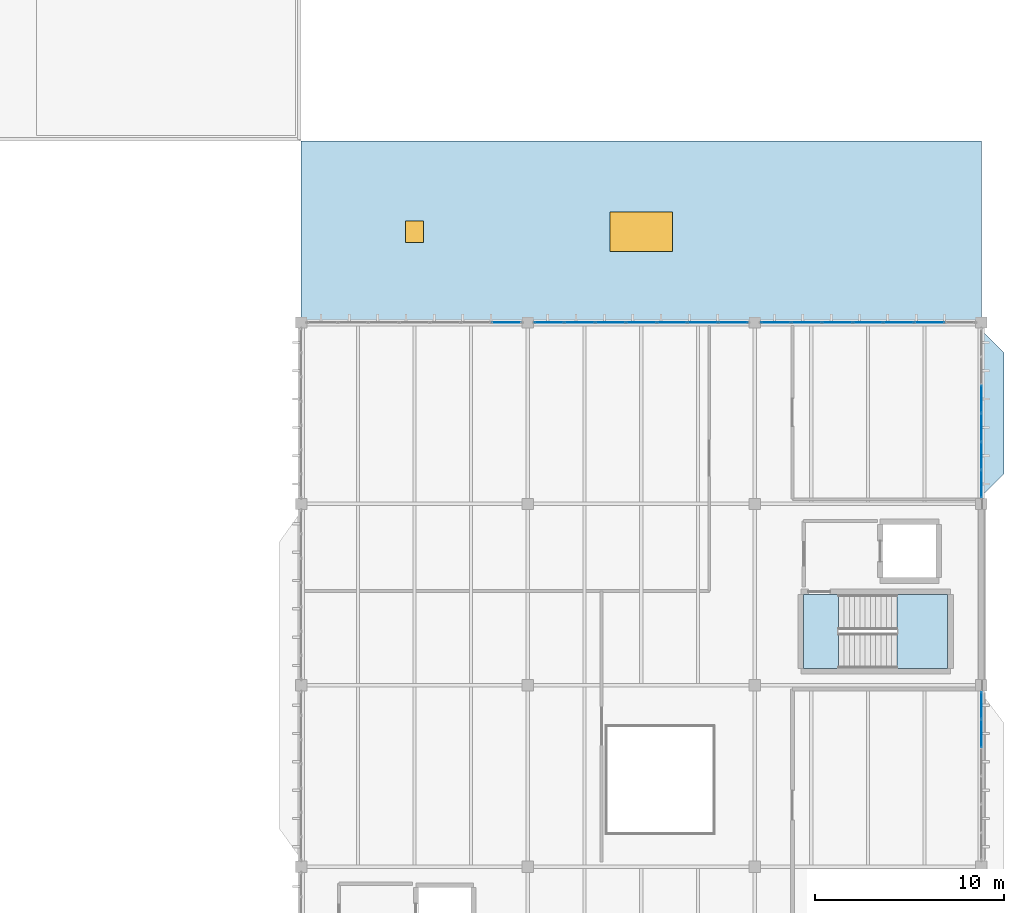
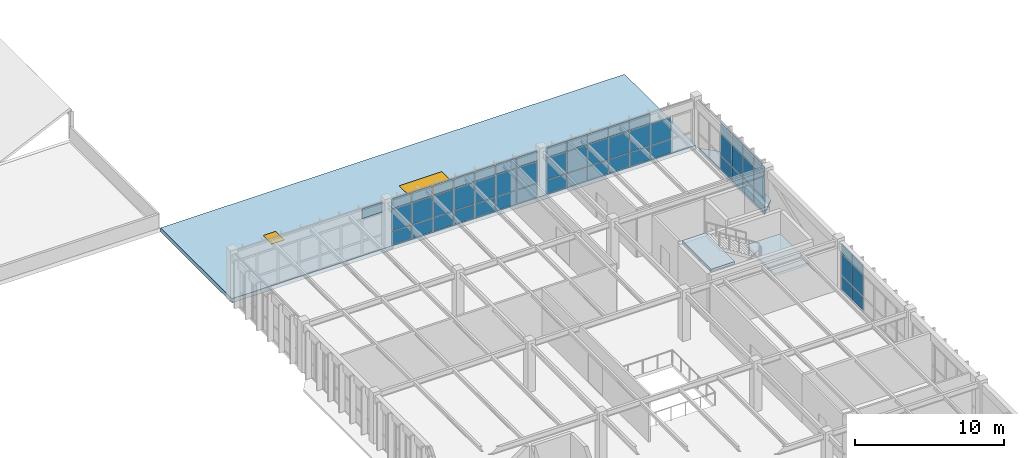
# One storey, part 67 of 83: 57 plates, 4 slabs, 1 door, 1 window, 2 openings, 6 elements without a shape of their own.
"""IFC4 building model written with IfcOpenShell, lengths in metres."""

from ifc_helpers import new_model, si_unit, direction, frame, origin, origin_2d, place, context, subcontext, project, spatial, polyline, rectangle, outline, extrude, material, layer, layer_set, type_object, element, fill, aggregate, save


model = new_model("IFC4")

# Units and contexts
model_context = context("Model", 3, precision=1e-05, world=origin(), true_north=direction((0.0, 1.0)))
body_context = subcontext(model_context, "Body", "Model", "MODEL_VIEW")
ifc_project = project(units=[si_unit("LENGTHUNIT", "METRE"), si_unit("AREAUNIT", "SQUARE_METRE"), si_unit("VOLUMEUNIT", "CUBIC_METRE"), si_unit("PLANEANGLEUNIT", "RADIAN"), si_unit("MASSUNIT", "GRAM", prefix="KILO")], contexts=[model_context])

# Site, building, storey
site_placement = place(None, origin())
site = spatial("IfcSite", under=ifc_project, at=site_placement, CompositionType="ELEMENT")
building_placement = place(site_placement, origin())
building = spatial("IfcBuilding", under=site, at=building_placement, Name="Pandanus Reach Market Hall", CompositionType="ELEMENT")
storey_placement = place(building_placement, frame((0.0, 0.0, 10.199951171875)))
storey = spatial("IfcBuildingStorey", under=building, at=storey_placement, Name="L02", CompositionType="ELEMENT", Elevation=10.199951171875)

# Curtain wall, plate
ifc_material_1 = material(Name="Bronze anodised aluminium and low-E glass", Category="aluminium")
ifc_layer_1 = layer(ifc_material_1, 0.159912109375, Name="CW-31")
ifc_layer_set_1 = layer_set([ifc_layer_1], Name="Bronze anodised aluminium and low-E glass")
curtain_wall_type_1 = type_object("IfcCurtainWallType", Name="CW-31", PredefinedType="NOTDEFINED", material=ifc_layer_set_1)
curtain_wall_1_placement = place(storey_placement, origin())
curtain_wall_1 = element("IfcCurtainWall", 1, at=curtain_wall_1_placement, inside=storey, type_object=curtain_wall_type_1, Name="Glazed curtain wall CW-31 CW-0102", PredefinedType="NOTDEFINED")
ifc_material_2 = material(Name="Solar-control double glazing", Category="glass")
ifc_layer_2 = layer(ifc_material_2, 0.028076171875, Name="CW-P1")
ifc_layer_set_2 = layer_set([ifc_layer_2], Name="Solar-control double glazing")
plate_type = type_object("IfcPlateType", Name="CW-P1", PredefinedType="CURTAIN_PANEL", material=ifc_layer_set_2)
plate_1_placement = place(storey_placement, frame((154.869384765625, 86.39990234375, 3.03271484375), z_axis=(0.0, 0.0, 1.0), x_axis=(1.0, 0.0, 0.0)))
plate_1 = element("IfcPlate", 2, at=plate_1_placement, type_object=plate_type, Name="CW-31 panel 7.3", PredefinedType="CURTAIN_PANEL", context=body_context, shape_type="SweptSolid", body=[
    extrude(rectangle(XDim=1.531005859375, YDim=0.028076171875, at=origin_2d()), origin(), (0.0, 0.0, 1.0), 0.802490234375),
])
aggregate(curtain_wall_1, [plate_1])

# Curtain wall, plates
curtain_wall_2_placement = place(storey_placement, origin())
curtain_wall_2 = element("IfcCurtainWall", 3, at=curtain_wall_2_placement, inside=storey, type_object=curtain_wall_type_1, Name="Glazed curtain wall CW-31 CW-0103", PredefinedType="NOTDEFINED")
plate_2_placement = place(storey_placement, frame((157.130615234375, 86.39990234375, 0.06494140625), z_axis=(0.0, 0.0, 1.0), x_axis=(1.0, 0.0, 0.0)))
plate_2 = element("IfcPlate", 4, at=plate_2_placement, type_object=plate_type, Name="CW-31 panel 1.1", PredefinedType="CURTAIN_PANEL", context=body_context, shape_type="SweptSolid", body=[
    extrude(rectangle(XDim=1.531005859375, YDim=0.028076171875, at=origin_2d()), origin(), (0.0, 0.0, 1.0), 1.1025390625),
])
plate_3_placement = place(storey_placement, frame((157.130615234375, 86.39990234375, 1.232421875), z_axis=(0.0, 0.0, 1.0), x_axis=(1.0, 0.0, 0.0)))
plate_3 = element("IfcPlate", 5, at=plate_3_placement, type_object=plate_type, Name="CW-31 panel 1.2", PredefinedType="CURTAIN_PANEL", context=body_context, shape_type="SweptSolid", body=[
    extrude(rectangle(XDim=1.531005859375, YDim=0.028076171875, at=origin_2d()), origin(), (0.0, 0.0, 1.0), 1.735107421875),
])
plate_4_placement = place(storey_placement, frame((157.130615234375, 86.39990234375, 3.03271484375), z_axis=(0.0, 0.0, 1.0), x_axis=(1.0, 0.0, 0.0)))
plate_4 = element("IfcPlate", 6, at=plate_4_placement, type_object=plate_type, Name="CW-31 panel 1.3", PredefinedType="CURTAIN_PANEL", context=body_context, shape_type="SweptSolid", body=[
    extrude(rectangle(XDim=1.531005859375, YDim=0.028076171875, at=origin_2d()), origin(), (0.0, 0.0, 1.0), 0.802490234375),
])
plate_5_placement = place(storey_placement, frame((158.742919921875, 86.39990234375, 0.06494140625), z_axis=(0.0, 0.0, 1.0), x_axis=(1.0, 0.0, 0.0)))
plate_5 = element("IfcPlate", 7, at=plate_5_placement, type_object=plate_type, Name="CW-31 panel 2.1", PredefinedType="CURTAIN_PANEL", context=body_context, shape_type="SweptSolid", body=[
    extrude(rectangle(XDim=1.5634765625, YDim=0.028076171875, at=origin_2d()), origin(), (0.0, 0.0, 1.0), 1.1025390625),
])
plate_6_placement = place(storey_placement, frame((158.742919921875, 86.39990234375, 1.232421875), z_axis=(0.0, 0.0, 1.0), x_axis=(1.0, 0.0, 0.0)))
plate_6 = element("IfcPlate", 8, at=plate_6_placement, type_object=plate_type, Name="CW-31 panel 2.2", PredefinedType="CURTAIN_PANEL", context=body_context, shape_type="SweptSolid", body=[
    extrude(rectangle(XDim=1.5634765625, YDim=0.028076171875, at=origin_2d()), origin(), (0.0, 0.0, 1.0), 1.735107421875),
])
plate_7_placement = place(storey_placement, frame((158.742919921875, 86.39990234375, 3.03271484375), z_axis=(0.0, 0.0, 1.0), x_axis=(1.0, 0.0, 0.0)))
plate_7 = element("IfcPlate", 9, at=plate_7_placement, type_object=plate_type, Name="CW-31 panel 2.3", PredefinedType="CURTAIN_PANEL", context=body_context, shape_type="SweptSolid", body=[
    extrude(rectangle(XDim=1.5634765625, YDim=0.028076171875, at=origin_2d()), origin(), (0.0, 0.0, 1.0), 0.802490234375),
])
plate_8_placement = place(storey_placement, frame((160.371337890625, 86.39990234375, 0.06494140625), z_axis=(0.0, 0.0, 1.0), x_axis=(1.0, 0.0, 0.0)))
plate_8 = element("IfcPlate", 10, at=plate_8_placement, type_object=plate_type, Name="CW-31 panel 3.1", PredefinedType="CURTAIN_PANEL", context=body_context, shape_type="SweptSolid", body=[
    extrude(rectangle(XDim=1.5634765625, YDim=0.028076171875, at=origin_2d()), origin(), (0.0, 0.0, 1.0), 1.1025390625),
])
plate_9_placement = place(storey_placement, frame((160.371337890625, 86.39990234375, 1.232421875), z_axis=(0.0, 0.0, 1.0), x_axis=(1.0, 0.0, 0.0)))
plate_9 = element("IfcPlate", 11, at=plate_9_placement, type_object=plate_type, Name="CW-31 panel 3.2", PredefinedType="CURTAIN_PANEL", context=body_context, shape_type="SweptSolid", body=[
    extrude(rectangle(XDim=1.5634765625, YDim=0.028076171875, at=origin_2d()), origin(), (0.0, 0.0, 1.0), 1.735107421875),
])
plate_10_placement = place(storey_placement, frame((160.371337890625, 86.39990234375, 3.03271484375), z_axis=(0.0, 0.0, 1.0), x_axis=(1.0, 0.0, 0.0)))
plate_10 = element("IfcPlate", 12, at=plate_10_placement, type_object=plate_type, Name="CW-31 panel 3.3", PredefinedType="CURTAIN_PANEL", context=body_context, shape_type="SweptSolid", body=[
    extrude(rectangle(XDim=1.5634765625, YDim=0.028076171875, at=origin_2d()), origin(), (0.0, 0.0, 1.0), 0.802490234375),
])
plate_11_placement = place(storey_placement, frame((162.0, 86.39990234375, 0.06494140625), z_axis=(0.0, 0.0, 1.0), x_axis=(1.0, 0.0, 0.0)))
plate_11 = element("IfcPlate", 13, at=plate_11_placement, type_object=plate_type, Name="CW-31 panel 4.1", PredefinedType="CURTAIN_PANEL", context=body_context, shape_type="SweptSolid", body=[
    extrude(rectangle(XDim=1.5634765625, YDim=0.028076171875, at=origin_2d()), origin(), (0.0, 0.0, 1.0), 1.1025390625),
])
plate_12_placement = place(storey_placement, frame((162.0, 86.39990234375, 1.232421875), z_axis=(0.0, 0.0, 1.0), x_axis=(1.0, 0.0, 0.0)))
plate_12 = element("IfcPlate", 14, at=plate_12_placement, type_object=plate_type, Name="CW-31 panel 4.2", PredefinedType="CURTAIN_PANEL", context=body_context, shape_type="SweptSolid", body=[
    extrude(rectangle(XDim=1.5634765625, YDim=0.028076171875, at=origin_2d()), origin(), (0.0, 0.0, 1.0), 1.735107421875),
])
plate_13_placement = place(storey_placement, frame((162.0, 86.39990234375, 3.03271484375), z_axis=(0.0, 0.0, 1.0), x_axis=(1.0, 0.0, 0.0)))
plate_13 = element("IfcPlate", 15, at=plate_13_placement, type_object=plate_type, Name="CW-31 panel 4.3", PredefinedType="CURTAIN_PANEL", context=body_context, shape_type="SweptSolid", body=[
    extrude(rectangle(XDim=1.5634765625, YDim=0.028076171875, at=origin_2d()), origin(), (0.0, 0.0, 1.0), 0.802490234375),
])
plate_14_placement = place(storey_placement, frame((163.628662109375, 86.39990234375, 0.06494140625), z_axis=(0.0, 0.0, 1.0), x_axis=(1.0, 0.0, 0.0)))
plate_14 = element("IfcPlate", 16, at=plate_14_placement, type_object=plate_type, Name="CW-31 panel 5.1", PredefinedType="CURTAIN_PANEL", context=body_context, shape_type="SweptSolid", body=[
    extrude(rectangle(XDim=1.5634765625, YDim=0.028076171875, at=origin_2d()), origin(), (0.0, 0.0, 1.0), 1.1025390625),
])
plate_15_placement = place(storey_placement, frame((163.628662109375, 86.39990234375, 1.232421875), z_axis=(0.0, 0.0, 1.0), x_axis=(1.0, 0.0, 0.0)))
plate_15 = element("IfcPlate", 17, at=plate_15_placement, type_object=plate_type, Name="CW-31 panel 5.2", PredefinedType="CURTAIN_PANEL", context=body_context, shape_type="SweptSolid", body=[
    extrude(rectangle(XDim=1.5634765625, YDim=0.028076171875, at=origin_2d()), origin(), (0.0, 0.0, 1.0), 1.735107421875),
])
plate_16_placement = place(storey_placement, frame((163.628662109375, 86.39990234375, 3.03271484375), z_axis=(0.0, 0.0, 1.0), x_axis=(1.0, 0.0, 0.0)))
plate_16 = element("IfcPlate", 18, at=plate_16_placement, type_object=plate_type, Name="CW-31 panel 5.3", PredefinedType="CURTAIN_PANEL", context=body_context, shape_type="SweptSolid", body=[
    extrude(rectangle(XDim=1.5634765625, YDim=0.028076171875, at=origin_2d()), origin(), (0.0, 0.0, 1.0), 0.802490234375),
])
plate_17_placement = place(storey_placement, frame((165.257080078125, 86.39990234375, 0.06494140625), z_axis=(0.0, 0.0, 1.0), x_axis=(1.0, 0.0, 0.0)))
plate_17 = element("IfcPlate", 19, at=plate_17_placement, type_object=plate_type, Name="CW-31 panel 6.1", PredefinedType="CURTAIN_PANEL", context=body_context, shape_type="SweptSolid", body=[
    extrude(rectangle(XDim=1.5634765625, YDim=0.028076171875, at=origin_2d()), origin(), (0.0, 0.0, 1.0), 1.1025390625),
])
plate_18_placement = place(storey_placement, frame((165.257080078125, 86.39990234375, 1.232421875), z_axis=(0.0, 0.0, 1.0), x_axis=(1.0, 0.0, 0.0)))
plate_18 = element("IfcPlate", 20, at=plate_18_placement, type_object=plate_type, Name="CW-31 panel 6.2", PredefinedType="CURTAIN_PANEL", context=body_context, shape_type="SweptSolid", body=[
    extrude(rectangle(XDim=1.5634765625, YDim=0.028076171875, at=origin_2d()), origin(), (0.0, 0.0, 1.0), 1.735107421875),
])
plate_19_placement = place(storey_placement, frame((165.257080078125, 86.39990234375, 3.03271484375), z_axis=(0.0, 0.0, 1.0), x_axis=(1.0, 0.0, 0.0)))
plate_19 = element("IfcPlate", 21, at=plate_19_placement, type_object=plate_type, Name="CW-31 panel 6.3", PredefinedType="CURTAIN_PANEL", context=body_context, shape_type="SweptSolid", body=[
    extrude(rectangle(XDim=1.5634765625, YDim=0.028076171875, at=origin_2d()), origin(), (0.0, 0.0, 1.0), 0.802490234375),
])
plate_20_placement = place(storey_placement, frame((166.869384765625, 86.39990234375, 0.06494140625), z_axis=(0.0, 0.0, 1.0), x_axis=(1.0, 0.0, 0.0)))
plate_20 = element("IfcPlate", 22, at=plate_20_placement, type_object=plate_type, Name="CW-31 panel 7.1", PredefinedType="CURTAIN_PANEL", context=body_context, shape_type="SweptSolid", body=[
    extrude(rectangle(XDim=1.531005859375, YDim=0.028076171875, at=origin_2d()), origin(), (0.0, 0.0, 1.0), 1.1025390625),
])
plate_21_placement = place(storey_placement, frame((166.869384765625, 86.39990234375, 1.232421875), z_axis=(0.0, 0.0, 1.0), x_axis=(1.0, 0.0, 0.0)))
plate_21 = element("IfcPlate", 23, at=plate_21_placement, type_object=plate_type, Name="CW-31 panel 7.2", PredefinedType="CURTAIN_PANEL", context=body_context, shape_type="SweptSolid", body=[
    extrude(rectangle(XDim=1.531005859375, YDim=0.028076171875, at=origin_2d()), origin(), (0.0, 0.0, 1.0), 1.735107421875),
])
plate_22_placement = place(storey_placement, frame((166.869384765625, 86.39990234375, 3.03271484375), z_axis=(0.0, 0.0, 1.0), x_axis=(1.0, 0.0, 0.0)))
plate_22 = element("IfcPlate", 24, at=plate_22_placement, type_object=plate_type, Name="CW-31 panel 7.3", PredefinedType="CURTAIN_PANEL", context=body_context, shape_type="SweptSolid", body=[
    extrude(rectangle(XDim=1.531005859375, YDim=0.028076171875, at=origin_2d()), origin(), (0.0, 0.0, 1.0), 0.802490234375),
])
aggregate(curtain_wall_2, [plate_2, plate_3, plate_4, plate_5, plate_6, plate_7, plate_8, plate_9, plate_10, plate_11, plate_12, plate_13, plate_14, plate_15, plate_16, plate_17, plate_18, plate_19, plate_20, plate_21, plate_22])

curtain_wall_3_placement = place(storey_placement, origin())
curtain_wall_3 = element("IfcCurtainWall", 25, at=curtain_wall_3_placement, inside=storey, type_object=curtain_wall_type_1, Name="Glazed curtain wall CW-31 CW-0104", PredefinedType="NOTDEFINED")
plate_23_placement = place(storey_placement, frame((169.130615234375, 86.39990234375, 0.06494140625), z_axis=(0.0, 0.0, 1.0), x_axis=(1.0, 0.0, 0.0)))
plate_23 = element("IfcPlate", 26, at=plate_23_placement, type_object=plate_type, Name="CW-31 panel 1.1", PredefinedType="CURTAIN_PANEL", context=body_context, shape_type="SweptSolid", body=[
    extrude(rectangle(XDim=1.531005859375, YDim=0.028076171875, at=origin_2d()), origin(), (0.0, 0.0, 1.0), 1.1025390625),
])
plate_24_placement = place(storey_placement, frame((169.130615234375, 86.39990234375, 1.232421875), z_axis=(0.0, 0.0, 1.0), x_axis=(1.0, 0.0, 0.0)))
plate_24 = element("IfcPlate", 27, at=plate_24_placement, type_object=plate_type, Name="CW-31 panel 1.2", PredefinedType="CURTAIN_PANEL", context=body_context, shape_type="SweptSolid", body=[
    extrude(rectangle(XDim=1.531005859375, YDim=0.028076171875, at=origin_2d()), origin(), (0.0, 0.0, 1.0), 1.735107421875),
])
plate_25_placement = place(storey_placement, frame((169.130615234375, 86.39990234375, 3.03271484375), z_axis=(0.0, 0.0, 1.0), x_axis=(1.0, 0.0, 0.0)))
plate_25 = element("IfcPlate", 28, at=plate_25_placement, type_object=plate_type, Name="CW-31 panel 1.3", PredefinedType="CURTAIN_PANEL", context=body_context, shape_type="SweptSolid", body=[
    extrude(rectangle(XDim=1.531005859375, YDim=0.028076171875, at=origin_2d()), origin(), (0.0, 0.0, 1.0), 0.802490234375),
])
plate_26_placement = place(storey_placement, frame((170.742919921875, 86.39990234375, 0.06494140625), z_axis=(0.0, 0.0, 1.0), x_axis=(1.0, 0.0, 0.0)))
plate_26 = element("IfcPlate", 29, at=plate_26_placement, type_object=plate_type, Name="CW-31 panel 2.1", PredefinedType="CURTAIN_PANEL", context=body_context, shape_type="SweptSolid", body=[
    extrude(rectangle(XDim=1.5634765625, YDim=0.028076171875, at=origin_2d()), origin(), (0.0, 0.0, 1.0), 1.1025390625),
])
plate_27_placement = place(storey_placement, frame((170.742919921875, 86.39990234375, 1.232421875), z_axis=(0.0, 0.0, 1.0), x_axis=(1.0, 0.0, 0.0)))
plate_27 = element("IfcPlate", 30, at=plate_27_placement, type_object=plate_type, Name="CW-31 panel 2.2", PredefinedType="CURTAIN_PANEL", context=body_context, shape_type="SweptSolid", body=[
    extrude(rectangle(XDim=1.5634765625, YDim=0.028076171875, at=origin_2d()), origin(), (0.0, 0.0, 1.0), 1.735107421875),
])
plate_28_placement = place(storey_placement, frame((170.742919921875, 86.39990234375, 3.03271484375), z_axis=(0.0, 0.0, 1.0), x_axis=(1.0, 0.0, 0.0)))
plate_28 = element("IfcPlate", 31, at=plate_28_placement, type_object=plate_type, Name="CW-31 panel 2.3", PredefinedType="CURTAIN_PANEL", context=body_context, shape_type="SweptSolid", body=[
    extrude(rectangle(XDim=1.5634765625, YDim=0.028076171875, at=origin_2d()), origin(), (0.0, 0.0, 1.0), 0.802490234375),
])
plate_29_placement = place(storey_placement, frame((172.371337890625, 86.39990234375, 0.06494140625), z_axis=(0.0, 0.0, 1.0), x_axis=(1.0, 0.0, 0.0)))
plate_29 = element("IfcPlate", 32, at=plate_29_placement, type_object=plate_type, Name="CW-31 panel 3.1", PredefinedType="CURTAIN_PANEL", context=body_context, shape_type="SweptSolid", body=[
    extrude(rectangle(XDim=1.5634765625, YDim=0.028076171875, at=origin_2d()), origin(), (0.0, 0.0, 1.0), 1.1025390625),
])
plate_30_placement = place(storey_placement, frame((172.371337890625, 86.39990234375, 1.232421875), z_axis=(0.0, 0.0, 1.0), x_axis=(1.0, 0.0, 0.0)))
plate_30 = element("IfcPlate", 33, at=plate_30_placement, type_object=plate_type, Name="CW-31 panel 3.2", PredefinedType="CURTAIN_PANEL", context=body_context, shape_type="SweptSolid", body=[
    extrude(rectangle(XDim=1.5634765625, YDim=0.028076171875, at=origin_2d()), origin(), (0.0, 0.0, 1.0), 1.735107421875),
])
plate_31_placement = place(storey_placement, frame((172.371337890625, 86.39990234375, 3.03271484375), z_axis=(0.0, 0.0, 1.0), x_axis=(1.0, 0.0, 0.0)))
plate_31 = element("IfcPlate", 34, at=plate_31_placement, type_object=plate_type, Name="CW-31 panel 3.3", PredefinedType="CURTAIN_PANEL", context=body_context, shape_type="SweptSolid", body=[
    extrude(rectangle(XDim=1.5634765625, YDim=0.028076171875, at=origin_2d()), origin(), (0.0, 0.0, 1.0), 0.802490234375),
])
plate_32_placement = place(storey_placement, frame((174.0, 86.39990234375, 0.06494140625), z_axis=(0.0, 0.0, 1.0), x_axis=(1.0, 0.0, 0.0)))
plate_32 = element("IfcPlate", 35, at=plate_32_placement, type_object=plate_type, Name="CW-31 panel 4.1", PredefinedType="CURTAIN_PANEL", context=body_context, shape_type="SweptSolid", body=[
    extrude(rectangle(XDim=1.5634765625, YDim=0.028076171875, at=origin_2d()), origin(), (0.0, 0.0, 1.0), 1.1025390625),
])
plate_33_placement = place(storey_placement, frame((174.0, 86.39990234375, 1.232421875), z_axis=(0.0, 0.0, 1.0), x_axis=(1.0, 0.0, 0.0)))
plate_33 = element("IfcPlate", 36, at=plate_33_placement, type_object=plate_type, Name="CW-31 panel 4.2", PredefinedType="CURTAIN_PANEL", context=body_context, shape_type="SweptSolid", body=[
    extrude(rectangle(XDim=1.5634765625, YDim=0.028076171875, at=origin_2d()), origin(), (0.0, 0.0, 1.0), 1.735107421875),
])
plate_34_placement = place(storey_placement, frame((174.0, 86.39990234375, 3.03271484375), z_axis=(0.0, 0.0, 1.0), x_axis=(1.0, 0.0, 0.0)))
plate_34 = element("IfcPlate", 37, at=plate_34_placement, type_object=plate_type, Name="CW-31 panel 4.3", PredefinedType="CURTAIN_PANEL", context=body_context, shape_type="SweptSolid", body=[
    extrude(rectangle(XDim=1.5634765625, YDim=0.028076171875, at=origin_2d()), origin(), (0.0, 0.0, 1.0), 0.802490234375),
])
plate_35_placement = place(storey_placement, frame((175.628662109375, 86.39990234375, 0.06494140625), z_axis=(0.0, 0.0, 1.0), x_axis=(1.0, 0.0, 0.0)))
plate_35 = element("IfcPlate", 38, at=plate_35_placement, type_object=plate_type, Name="CW-31 panel 5.1", PredefinedType="CURTAIN_PANEL", context=body_context, shape_type="SweptSolid", body=[
    extrude(rectangle(XDim=1.5634765625, YDim=0.028076171875, at=origin_2d()), origin(), (0.0, 0.0, 1.0), 1.1025390625),
])
plate_36_placement = place(storey_placement, frame((175.628662109375, 86.39990234375, 1.232421875), z_axis=(0.0, 0.0, 1.0), x_axis=(1.0, 0.0, 0.0)))
plate_36 = element("IfcPlate", 39, at=plate_36_placement, type_object=plate_type, Name="CW-31 panel 5.2", PredefinedType="CURTAIN_PANEL", context=body_context, shape_type="SweptSolid", body=[
    extrude(rectangle(XDim=1.5634765625, YDim=0.028076171875, at=origin_2d()), origin(), (0.0, 0.0, 1.0), 1.735107421875),
])
plate_37_placement = place(storey_placement, frame((175.628662109375, 86.39990234375, 3.03271484375), z_axis=(0.0, 0.0, 1.0), x_axis=(1.0, 0.0, 0.0)))
plate_37 = element("IfcPlate", 40, at=plate_37_placement, type_object=plate_type, Name="CW-31 panel 5.3", PredefinedType="CURTAIN_PANEL", context=body_context, shape_type="SweptSolid", body=[
    extrude(rectangle(XDim=1.5634765625, YDim=0.028076171875, at=origin_2d()), origin(), (0.0, 0.0, 1.0), 0.802490234375),
])
plate_38_placement = place(storey_placement, frame((177.257080078125, 86.39990234375, 0.06494140625), z_axis=(0.0, 0.0, 1.0), x_axis=(1.0, 0.0, 0.0)))
plate_38 = element("IfcPlate", 41, at=plate_38_placement, type_object=plate_type, Name="CW-31 panel 6.1", PredefinedType="CURTAIN_PANEL", context=body_context, shape_type="SweptSolid", body=[
    extrude(rectangle(XDim=1.5634765625, YDim=0.028076171875, at=origin_2d()), origin(), (0.0, 0.0, 1.0), 1.1025390625),
])
plate_39_placement = place(storey_placement, frame((177.257080078125, 86.39990234375, 1.232421875), z_axis=(0.0, 0.0, 1.0), x_axis=(1.0, 0.0, 0.0)))
plate_39 = element("IfcPlate", 42, at=plate_39_placement, type_object=plate_type, Name="CW-31 panel 6.2", PredefinedType="CURTAIN_PANEL", context=body_context, shape_type="SweptSolid", body=[
    extrude(rectangle(XDim=1.5634765625, YDim=0.028076171875, at=origin_2d()), origin(), (0.0, 0.0, 1.0), 1.735107421875),
])
aggregate(curtain_wall_3, [plate_23, plate_24, plate_25, plate_26, plate_27, plate_28, plate_29, plate_30, plate_31, plate_32, plate_33, plate_34, plate_35, plate_36, plate_37, plate_38, plate_39])

ifc_layer_3 = layer(ifc_material_1, 0.159912109375, Name="CW-32")
ifc_layer_set_3 = layer_set([ifc_layer_3], Name="Bronze anodised aluminium and low-E glass")
curtain_wall_type_2 = type_object("IfcCurtainWallType", Name="CW-32", PredefinedType="NOTDEFINED", material=ifc_layer_set_3)
curtain_wall_4_placement = place(storey_placement, origin())
curtain_wall_4 = element("IfcCurtainWall", 43, at=curtain_wall_4_placement, inside=storey, type_object=curtain_wall_type_2, Name="Glazed curtain wall CW-32 CW-0107", PredefinedType="NOTDEFINED")
plate_40_placement = place(storey_placement, frame((180.0, 64.64990234375, 0.06494140625), z_axis=(0.0, 0.0, 1.0), x_axis=(0.0, 1.0, 0.0)))
plate_40 = element("IfcPlate", 44, at=plate_40_placement, type_object=plate_type, Name="CW-32 panel 5.1", PredefinedType="CURTAIN_PANEL", context=body_context, shape_type="SweptSolid", body=[
    extrude(rectangle(XDim=1.43505859375, YDim=0.028076171875, at=origin_2d()), origin(), (0.0, 0.0, 1.0), 1.1025390625),
])
plate_41_placement = place(storey_placement, frame((180.0, 64.64990234375, 1.232421875), z_axis=(0.0, 0.0, 1.0), x_axis=(0.0, 1.0, 0.0)))
plate_41 = element("IfcPlate", 45, at=plate_41_placement, type_object=plate_type, Name="CW-32 panel 5.2", PredefinedType="CURTAIN_PANEL", context=body_context, shape_type="SweptSolid", body=[
    extrude(rectangle(XDim=1.43505859375, YDim=0.028076171875, at=origin_2d()), origin(), (0.0, 0.0, 1.0), 1.735107421875),
])
plate_42_placement = place(storey_placement, frame((180.0, 64.64990234375, 3.03271484375), z_axis=(0.0, 0.0, 1.0), x_axis=(0.0, 1.0, 0.0)))
plate_42 = element("IfcPlate", 46, at=plate_42_placement, type_object=plate_type, Name="CW-32 panel 5.3", PredefinedType="CURTAIN_PANEL", context=body_context, shape_type="SweptSolid", body=[
    extrude(rectangle(XDim=1.43505859375, YDim=0.028076171875, at=origin_2d()), origin(), (0.0, 0.0, 1.0), 0.802490234375),
])
plate_43_placement = place(storey_placement, frame((180.0, 66.1337890625, 0.06494140625), z_axis=(0.0, 0.0, 1.0), x_axis=(0.0, 1.0, 0.0)))
plate_43 = element("IfcPlate", 47, at=plate_43_placement, type_object=plate_type, Name="CW-32 panel 6.1", PredefinedType="CURTAIN_PANEL", context=body_context, shape_type="SweptSolid", body=[
    extrude(rectangle(XDim=1.402587890625, YDim=0.028076171875, at=origin_2d()), origin(), (0.0, 0.0, 1.0), 1.1025390625),
])
plate_44_placement = place(storey_placement, frame((180.0, 66.1337890625, 1.232421875), z_axis=(0.0, 0.0, 1.0), x_axis=(0.0, 1.0, 0.0)))
plate_44 = element("IfcPlate", 48, at=plate_44_placement, type_object=plate_type, Name="CW-32 panel 6.2", PredefinedType="CURTAIN_PANEL", context=body_context, shape_type="SweptSolid", body=[
    extrude(rectangle(XDim=1.402587890625, YDim=0.028076171875, at=origin_2d()), origin(), (0.0, 0.0, 1.0), 1.735107421875),
])
plate_45_placement = place(storey_placement, frame((180.0, 66.1337890625, 3.03271484375), z_axis=(0.0, 0.0, 1.0), x_axis=(0.0, 1.0, 0.0)))
plate_45 = element("IfcPlate", 49, at=plate_45_placement, type_object=plate_type, Name="CW-32 panel 6.3", PredefinedType="CURTAIN_PANEL", context=body_context, shape_type="SweptSolid", body=[
    extrude(rectangle(XDim=1.402587890625, YDim=0.028076171875, at=origin_2d()), origin(), (0.0, 0.0, 1.0), 0.802490234375),
])
aggregate(curtain_wall_4, [plate_40, plate_41, plate_42, plate_43, plate_44, plate_45])

curtain_wall_5_placement = place(storey_placement, origin())
curtain_wall_5 = element("IfcCurtainWall", 50, at=curtain_wall_5_placement, inside=storey, type_object=curtain_wall_type_2, Name="Glazed curtain wall CW-32 CW-0108", PredefinedType="NOTDEFINED")
plate_46_placement = place(storey_placement, frame((180.0, 77.8662109375, 0.06494140625), z_axis=(0.0, 0.0, 1.0), x_axis=(0.0, 1.0, 0.0)))
plate_46 = element("IfcPlate", 51, at=plate_46_placement, type_object=plate_type, Name="CW-32 panel 1.1", PredefinedType="CURTAIN_PANEL", context=body_context, shape_type="SweptSolid", body=[
    extrude(rectangle(XDim=1.402587890625, YDim=0.028076171875, at=origin_2d()), origin(), (0.0, 0.0, 1.0), 1.1025390625),
])
plate_47_placement = place(storey_placement, frame((180.0, 77.8662109375, 1.232421875), z_axis=(0.0, 0.0, 1.0), x_axis=(0.0, 1.0, 0.0)))
plate_47 = element("IfcPlate", 52, at=plate_47_placement, type_object=plate_type, Name="CW-32 panel 1.2", PredefinedType="CURTAIN_PANEL", context=body_context, shape_type="SweptSolid", body=[
    extrude(rectangle(XDim=1.402587890625, YDim=0.028076171875, at=origin_2d()), origin(), (0.0, 0.0, 1.0), 1.735107421875),
])
plate_48_placement = place(storey_placement, frame((180.0, 77.8662109375, 3.03271484375), z_axis=(0.0, 0.0, 1.0), x_axis=(0.0, 1.0, 0.0)))
plate_48 = element("IfcPlate", 53, at=plate_48_placement, type_object=plate_type, Name="CW-32 panel 1.3", PredefinedType="CURTAIN_PANEL", context=body_context, shape_type="SweptSolid", body=[
    extrude(rectangle(XDim=1.402587890625, YDim=0.028076171875, at=origin_2d()), origin(), (0.0, 0.0, 1.0), 0.802490234375),
])
plate_49_placement = place(storey_placement, frame((180.0, 79.35009765625, 0.06494140625), z_axis=(0.0, 0.0, 1.0), x_axis=(0.0, 1.0, 0.0)))
plate_49 = element("IfcPlate", 54, at=plate_49_placement, type_object=plate_type, Name="CW-32 panel 2.1", PredefinedType="CURTAIN_PANEL", context=body_context, shape_type="SweptSolid", body=[
    extrude(rectangle(XDim=1.43505859375, YDim=0.028076171875, at=origin_2d()), origin(), (0.0, 0.0, 1.0), 1.1025390625),
])
plate_50_placement = place(storey_placement, frame((180.0, 79.35009765625, 1.232421875), z_axis=(0.0, 0.0, 1.0), x_axis=(0.0, 1.0, 0.0)))
plate_50 = element("IfcPlate", 55, at=plate_50_placement, type_object=plate_type, Name="CW-32 panel 2.2", PredefinedType="CURTAIN_PANEL", context=body_context, shape_type="SweptSolid", body=[
    extrude(rectangle(XDim=1.43505859375, YDim=0.028076171875, at=origin_2d()), origin(), (0.0, 0.0, 1.0), 1.735107421875),
])
plate_51_placement = place(storey_placement, frame((180.0, 79.35009765625, 3.03271484375), z_axis=(0.0, 0.0, 1.0), x_axis=(0.0, 1.0, 0.0)))
plate_51 = element("IfcPlate", 56, at=plate_51_placement, type_object=plate_type, Name="CW-32 panel 2.3", PredefinedType="CURTAIN_PANEL", context=body_context, shape_type="SweptSolid", body=[
    extrude(rectangle(XDim=1.43505859375, YDim=0.028076171875, at=origin_2d()), origin(), (0.0, 0.0, 1.0), 0.802490234375),
])
plate_52_placement = place(storey_placement, frame((180.0, 80.85009765625, 0.06494140625), z_axis=(0.0, 0.0, 1.0), x_axis=(0.0, 1.0, 0.0)))
plate_52 = element("IfcPlate", 57, at=plate_52_placement, type_object=plate_type, Name="CW-32 panel 3.1", PredefinedType="CURTAIN_PANEL", context=body_context, shape_type="SweptSolid", body=[
    extrude(rectangle(XDim=1.43505859375, YDim=0.028076171875, at=origin_2d()), origin(), (0.0, 0.0, 1.0), 1.1025390625),
])
plate_53_placement = place(storey_placement, frame((180.0, 80.85009765625, 1.232421875), z_axis=(0.0, 0.0, 1.0), x_axis=(0.0, 1.0, 0.0)))
plate_53 = element("IfcPlate", 58, at=plate_53_placement, type_object=plate_type, Name="CW-32 panel 3.2", PredefinedType="CURTAIN_PANEL", context=body_context, shape_type="SweptSolid", body=[
    extrude(rectangle(XDim=1.43505859375, YDim=0.028076171875, at=origin_2d()), origin(), (0.0, 0.0, 1.0), 1.735107421875),
])
plate_54_placement = place(storey_placement, frame((180.0, 80.85009765625, 3.03271484375), z_axis=(0.0, 0.0, 1.0), x_axis=(0.0, 1.0, 0.0)))
plate_54 = element("IfcPlate", 59, at=plate_54_placement, type_object=plate_type, Name="CW-32 panel 3.3", PredefinedType="CURTAIN_PANEL", context=body_context, shape_type="SweptSolid", body=[
    extrude(rectangle(XDim=1.43505859375, YDim=0.028076171875, at=origin_2d()), origin(), (0.0, 0.0, 1.0), 0.802490234375),
])
plate_55_placement = place(storey_placement, frame((180.0, 82.35009765625, 0.06494140625), z_axis=(0.0, 0.0, 1.0), x_axis=(0.0, 1.0, 0.0)))
plate_55 = element("IfcPlate", 60, at=plate_55_placement, type_object=plate_type, Name="CW-32 panel 4.1", PredefinedType="CURTAIN_PANEL", context=body_context, shape_type="SweptSolid", body=[
    extrude(rectangle(XDim=1.43505859375, YDim=0.028076171875, at=origin_2d()), origin(), (0.0, 0.0, 1.0), 1.1025390625),
])
plate_56_placement = place(storey_placement, frame((180.0, 82.35009765625, 1.232421875), z_axis=(0.0, 0.0, 1.0), x_axis=(0.0, 1.0, 0.0)))
plate_56 = element("IfcPlate", 61, at=plate_56_placement, type_object=plate_type, Name="CW-32 panel 4.2", PredefinedType="CURTAIN_PANEL", context=body_context, shape_type="SweptSolid", body=[
    extrude(rectangle(XDim=1.43505859375, YDim=0.028076171875, at=origin_2d()), origin(), (0.0, 0.0, 1.0), 1.735107421875),
])
plate_57_placement = place(storey_placement, frame((180.0, 82.35009765625, 3.03271484375), z_axis=(0.0, 0.0, 1.0), x_axis=(0.0, 1.0, 0.0)))
plate_57 = element("IfcPlate", 62, at=plate_57_placement, type_object=plate_type, Name="CW-32 panel 4.3", PredefinedType="CURTAIN_PANEL", context=body_context, shape_type="SweptSolid", body=[
    extrude(rectangle(XDim=1.43505859375, YDim=0.028076171875, at=origin_2d()), origin(), (0.0, 0.0, 1.0), 0.802490234375),
])
aggregate(curtain_wall_5, [plate_46, plate_47, plate_48, plate_49, plate_50, plate_51, plate_52, plate_53, plate_54, plate_55, plate_56, plate_57])

# Slab
ifc_material_3 = material(Name="Concrete N50 (50 MPa)", Category="concrete")
ifc_layer_4 = layer(ifc_material_3, 0.179931640625, Name="RF-CNP-180")
ifc_layer_set_4 = layer_set([ifc_layer_4], Name="Concrete N50 (50 MPa)")
slab_type_1 = type_object("IfcSlabType", Name="RF-CNP-180", PredefinedType="ROOF", material=ifc_layer_set_4)
slab_1_placement = place(storey_placement, frame((0.0, 0.0, -0.179931640625)))
element("IfcSlab", 63, at=slab_1_placement, inside=storey, type_object=slab_type_1, Name="Sculpted concrete brise-soleil hood 13", PredefinedType="ROOF", context=body_context, shape_type="SweptSolid", body=[
    extrude(outline(polyline([(180.0, 77.199951171875), (180.0, 86.0), (181.199951171875, 84.800048828125), (181.199951171875, 78.39990234375), (180.0, 77.199951171875)])), origin(), (0.0, 0.0, 1.0), 0.179931640625),
])

# Slab, openings, window, door
ifc_material_4 = material(Name="Concrete N40 (40 MPa)", Category="concrete")
ifc_layer_5 = layer(ifc_material_4, 0.340087890625, Name="RF-FLT-340")
ifc_layer_set_5 = layer_set([ifc_layer_5], Name="Concrete N40 (40 MPa)")
slab_type_2 = type_object("IfcSlabType", Name="RF-FLT-340", PredefinedType="ROOF", material=ifc_layer_set_5)
slab_2_placement = place(storey_placement, frame((0.0, 0.0, -0.33984375)))
slab_2 = element("IfcSlab", 64, at=slab_2_placement, inside=storey, type_object=slab_type_2, Name="Concrete roof slab RF-L02-V4N", PredefinedType="ROOF", context=body_context, shape_type="SweptSolid", body=[
    extrude(outline(polyline([(144.0, 86.39990234375), (180.0, 86.39990234375), (180.0, 96.0), (144.0, 96.0), (144.0, 86.39990234375)]), holes=[polyline([(160.35009765625, 90.14990234375), (163.64990234375, 90.14990234375), (163.64990234375, 92.25), (160.35009765625, 92.25), (160.35009765625, 90.14990234375)]), polyline([(149.52490234375, 90.625), (150.47509765625, 90.625), (150.47509765625, 91.77490234375), (149.52490234375, 91.77490234375), (149.52490234375, 90.625)])]), origin(), (0.0, 0.0, 1.0), 0.33984375),
])
opening_1_placement = place(slab_2_placement, frame((162.0, 91.199951171875, -0.014892578125)))
opening_1 = element("IfcOpeningElement", 65, at=opening_1_placement, cuts=slab_2, Name="Opening SK-05", PredefinedType="OPENING", context=body_context, shape_type="SweptSolid", body=[
    extrude(rectangle(XDim=3.300048828125, YDim=2.10009765625, at=origin_2d()), origin(), (0.0, 0.0, 1.0), 0.369873046875),
])
opening_2_placement = place(slab_2_placement, frame((150.0, 91.199951171875, -0.014892578125)))
opening_2 = element("IfcOpeningElement", 66, at=opening_2_placement, cuts=slab_2, Name="Opening TRP-095", PredefinedType="OPENING", context=body_context, shape_type="SweptSolid", body=[
    extrude(rectangle(XDim=0.949951171875, YDim=1.14990234375, at=origin_2d()), origin(), (0.0, 0.0, 1.0), 0.369873046875),
])
window_type = type_object("IfcWindowType", Name="SK-05", PartitioningType="SINGLE_PANEL", PredefinedType="SKYLIGHT", material=ifc_material_2)
window_placement = place(slab_2_placement, frame((162.0, 91.199951171875, 0.289794921875)))
window = element("IfcWindow", 67, at=window_placement, inside=storey, type_object=window_type, Name="Roof skylight SK-05 8", OverallHeight=2.10009765625, OverallWidth=3.300048828125, PartitioningType="SINGLE_PANEL", PredefinedType="SKYLIGHT", context=body_context, shape_type="SweptSolid", body=[
    extrude(rectangle(XDim=3.300048828125, YDim=2.10009765625, at=origin_2d()), origin(), (0.0, 0.0, 1.0), 0.050048828125),
])
fill(opening_1, window)
ifc_material_5 = material(Name="Insulated aluminium roof trapdoor", Category="aluminium")
door_type = type_object("IfcDoorType", Name="TRP-095", OperationType="SINGLE_SWING_LEFT", PredefinedType="TRAPDOOR", material=ifc_material_5)
door_placement = place(slab_2_placement, frame((150.0, 91.199951171875, 0.289794921875)))
door = element("IfcDoor", 68, at=door_placement, inside=storey, type_object=door_type, Name="Roof access trapdoor TRP-095 3", OperationType="SINGLE_SWING_LEFT", OverallHeight=1.14990234375, OverallWidth=0.949951171875, PredefinedType="TRAPDOOR", context=body_context, shape_type="SweptSolid", body=[
    extrude(rectangle(XDim=0.949951171875, YDim=1.14990234375, at=origin_2d()), origin(), (0.0, 0.0, 1.0), 0.050048828125),
])
fill(opening_2, door)

# Stair, slabs
stair_type = type_object("IfcStairType", Name="STR-04", PredefinedType="HALF_TURN_STAIR", material=ifc_material_4)
stair_placement = place(storey_placement, origin())
stair = element("IfcStair", 69, at=stair_placement, inside=storey, type_object=stair_type, Name="Stair ST-02 L02", PredefinedType="HALF_TURN_STAIR")
ifc_layer_6 = layer(ifc_material_4, 0.199951171875, Name="SL-LND-200")
ifc_layer_set_6 = layer_set([ifc_layer_6], Name="Concrete N40 (40 MPa)")
slab_type_3 = type_object("IfcSlabType", Name="SL-LND-200", PredefinedType="LANDING", material=ifc_layer_set_6)
slab_3_placement = place(storey_placement, frame((0.0, 0.0, 1.900146484375)))
slab_3 = element("IfcSlab", 70, at=slab_3_placement, type_object=slab_type_3, Name="STR-04 landing 1", PredefinedType="LANDING", context=body_context, shape_type="SweptSolid", body=[
    extrude(outline(polyline([(175.530029296875, 68.10009765625), (178.219970703125, 68.10009765625), (178.219970703125, 72.0), (175.530029296875, 72.0), (175.530029296875, 68.10009765625)])), origin(), (0.0, 0.0, 1.0), 0.199951171875),
])
slab_4_placement = place(storey_placement, frame((0.0, 0.0, 4.0)))
slab_4 = element("IfcSlab", 71, at=slab_4_placement, type_object=slab_type_3, Name="STR-04 landing 2", PredefinedType="LANDING", context=body_context, shape_type="SweptSolid", body=[
    extrude(outline(polyline([(170.60009765625, 68.10009765625), (172.449951171875, 68.10009765625), (172.449951171875, 72.0), (170.60009765625, 72.0), (170.60009765625, 68.10009765625)])), origin(), (0.0, 0.0, 1.0), 0.199951171875),
])
aggregate(stair, [slab_3, slab_4])

save(model, "model.ifc")
